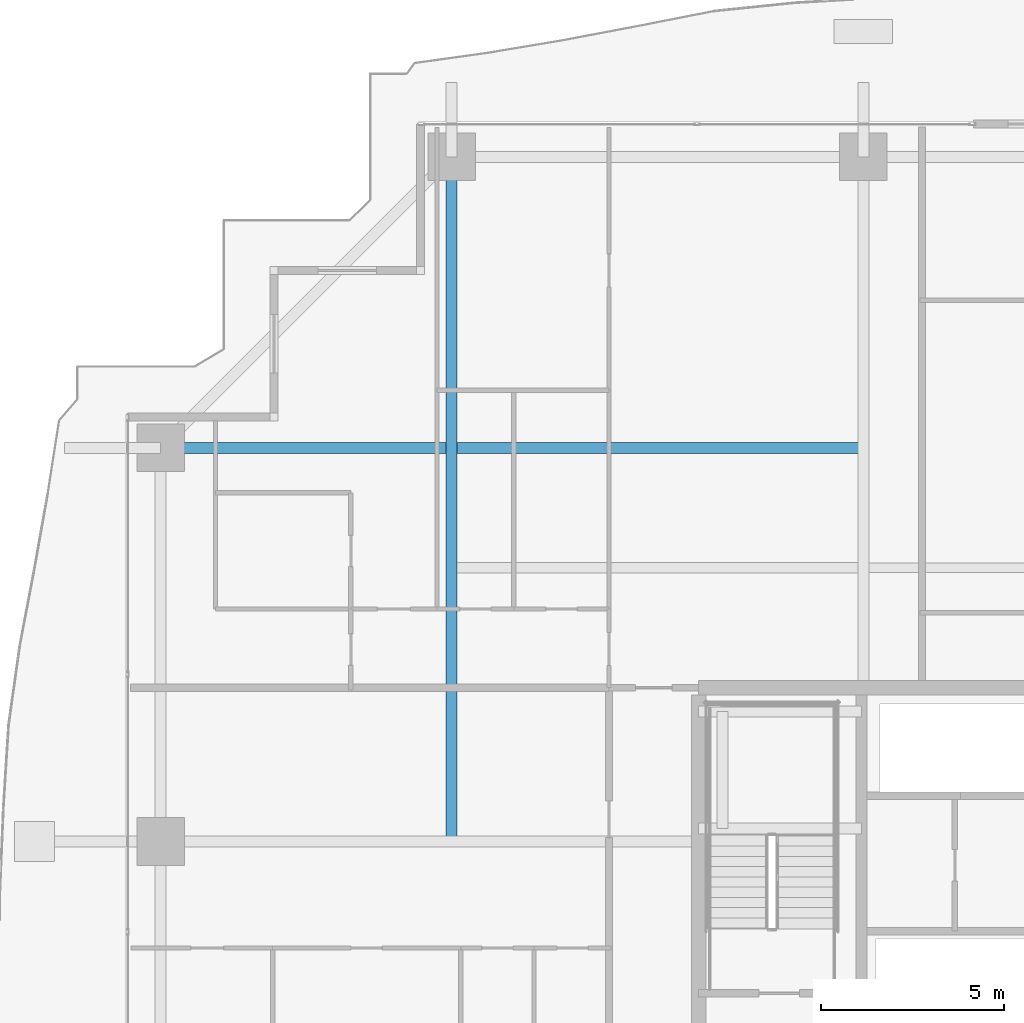
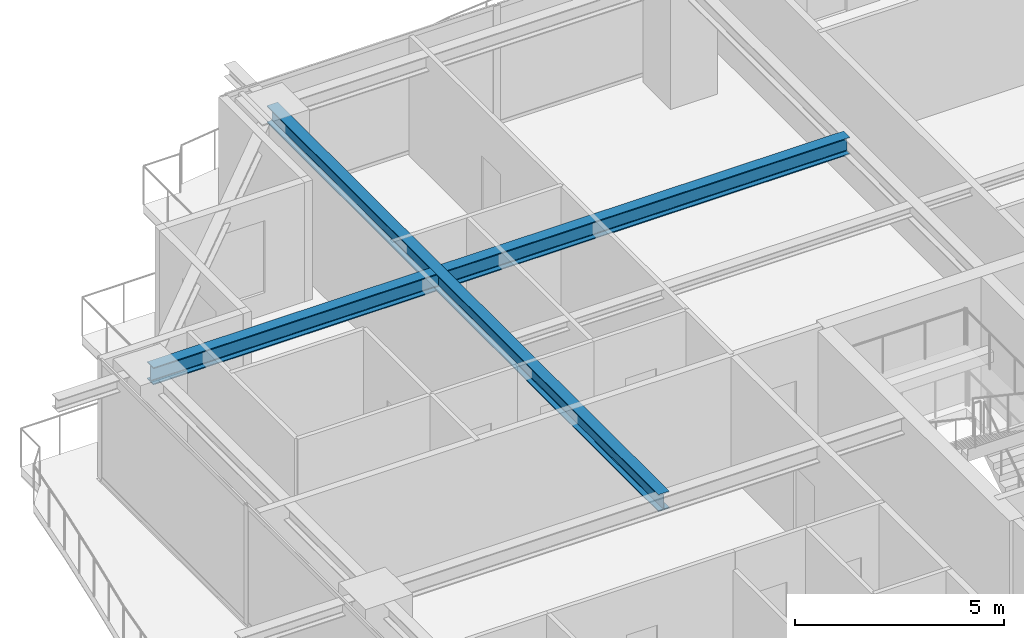
# One storey, part 18 of 37: 2 beams.
"""IFC4 building model written with IfcOpenShell, lengths in metres."""

import ifcopenshell
import ifcopenshell.guid

model = None  # the IFC model being written
_history = None  # IfcOwnerHistory: only IFC2X3 demands one
_inside = {}  # id of a spatial element -> (the spatial element, [elements in it])
_under = {}  # id of a project, library or spatial element -> (it, [spatial elements below it])
_declared = {}  # id of a project -> (the project, [libraries it declares])
_typed = {}  # id of a type object -> (the type object, [elements of that type])
_made_of = {}  # id of a material, layer set ... -> (it, [elements and type objects made of it])


def new_model(schema):
    """Start an empty IFC model of exactly this schema.

    Asked for "IFC4X3", IfcOpenShell would pick the latest addendum, in which some entities
    have other attributes; the version numbers below select the first issue.
    IFC2X3 requires an IfcOwnerHistory on every rooted entity: one is made here for all.
    """
    global model, _history
    if schema == "IFC4X3":
        model = ifcopenshell.file(schema_version=(4, 3, 0, 0))
    else:
        model = ifcopenshell.file(schema=schema)
    _inside.clear()
    _under.clear()
    _declared.clear()
    _typed.clear()
    _made_of.clear()
    _history = None
    if model.schema == "IFC2X3":
        org = make("IfcOrganization", Name="unknown")
        user = make(
            "IfcPersonAndOrganization",
            ThePerson=make("IfcPerson", FamilyName="unknown"),
            TheOrganization=org,
        )
        app = make(
            "IfcApplication",
            ApplicationDeveloper=org,
            Version="unknown",
            ApplicationFullName="unknown",
            ApplicationIdentifier="unknown",
        )
        _history = make(
            "IfcOwnerHistory",
            OwningUser=user,
            OwningApplication=app,
            ChangeAction="ADDED",
            CreationDate=0,
        )
    return model


def make(cls, **values):
    """One entity of the class cls with the attributes given. An attribute that is None is left unset."""
    return model.create_entity(
        cls, **{name: value for name, value in values.items() if value is not None}
    )


def rooted(cls, **values):
    """An entity with a GlobalId (a new one), such as an element, a storey or a relation."""
    return make(cls, GlobalId=ifcopenshell.guid.new(), OwnerHistory=_history, **values)


def si_unit(unit_type, name, prefix=None):
    """IfcSIUnit, for example si_unit("LENGTHUNIT", "METRE", prefix="MILLI")."""
    return make("IfcSIUnit", UnitType=unit_type, Prefix=prefix, Name=name)


def assignment(units):
    """IfcUnitAssignment: the units of a project."""
    return None if units is None else make("IfcUnitAssignment", Units=units)


def point(xyz):
    """IfcCartesianPoint."""
    return None if xyz is None else make("IfcCartesianPoint", Coordinates=xyz)


def direction(xyz):
    """IfcDirection."""
    return None if xyz is None else make("IfcDirection", DirectionRatios=xyz)


def frame(location, z_axis=None, x_axis=None):
    """IfcAxis2Placement3D, a coordinate frame: its origin and axes. An axis left out is left unset."""
    return make(
        "IfcAxis2Placement3D",
        Location=point(location),
        Axis=direction(z_axis),
        RefDirection=direction(x_axis),
    )


def frame_2d(location, x_axis=None):
    """IfcAxis2Placement2D, a coordinate frame in the plane: its origin and x axis."""
    return make(
        "IfcAxis2Placement2D", Location=point(location), RefDirection=direction(x_axis)
    )


def origin():
    """The frame at (0, 0, 0) with its axes left unset."""
    return frame((0.0, 0.0, 0.0))


def origin_2d():
    """The frame at (0, 0) in the plane with its x axis left unset."""
    return frame_2d((0.0, 0.0))


def place(relative_to, where):
    """IfcLocalPlacement: puts the frame where relative to a parent placement (None: the world)."""
    return make(
        "IfcLocalPlacement", PlacementRelTo=relative_to, RelativePlacement=where
    )


def context(
    kind, dimensions, precision=None, world=None, true_north=None, identifier=None
):
    """IfcGeometricRepresentationContext, for example the 3D "Model" context."""
    return make(
        "IfcGeometricRepresentationContext",
        ContextIdentifier=identifier,
        ContextType=kind,
        CoordinateSpaceDimension=dimensions,
        Precision=precision,
        WorldCoordinateSystem=world,
        TrueNorth=true_north,
    )


def subcontext(parent, identifier, kind, view, scale=None):
    """IfcGeometricRepresentationSubContext, for example "Body" below "Model"."""
    return make(
        "IfcGeometricRepresentationSubContext",
        ContextIdentifier=identifier,
        ContextType=kind,
        ParentContext=parent,
        TargetScale=scale,
        TargetView=view,
    )


def project(units=None, contexts=None):
    """IfcProject with its units and contexts."""
    return rooted(
        "IfcProject",
        Name="project",
        RepresentationContexts=contexts,
        UnitsInContext=assignment(units),
    )


def spatial(cls, under=None, at=None, **own):
    """A site, building, storey or space (cls), placed at a placement, below another one or the project."""
    s = rooted(cls, ObjectPlacement=at, **own)
    if under is not None:
        _under.setdefault(under.id(), (under, []))[1].append(s)
    return s


def profile(cls, at=None, kind="AREA", **sizes):
    """A parametric profile (cls). Its sizes go by their IFC names, for example OverallWidth=200.0."""
    return make(cls, ProfileType=kind, Position=at, **sizes)


def i_section(**sizes):
    """IfcIShapeProfileDef."""
    return profile("IfcIShapeProfileDef", **sizes)


def extrude(swept, where, along, depth):
    """IfcExtrudedAreaSolid: the profile swept, set in the frame where, extruded along a direction by depth."""
    return make(
        "IfcExtrudedAreaSolid",
        SweptArea=swept,
        Position=where,
        ExtrudedDirection=direction(along),
        Depth=depth,
    )


def shape(context_of_items, identifier, shape_type, items):
    """IfcShapeRepresentation: the items that make up one representation, for example the "Body"."""
    return make(
        "IfcShapeRepresentation",
        ContextOfItems=context_of_items,
        RepresentationIdentifier=identifier,
        RepresentationType=shape_type,
        Items=items,
    )


def source(mapping_origin, context_of_items, identifier, shape_type, items):
    """IfcRepresentationMap: a shape defined once, which mapped items show again and again."""
    return make(
        "IfcRepresentationMap",
        MappingOrigin=mapping_origin,
        MappedRepresentation=shape(context_of_items, identifier, shape_type, items),
    )


def transform(
    local_origin,
    x_axis=None,
    y_axis=None,
    z_axis=None,
    scale=None,
    scale2=None,
    scale3=None,
    uniform=True,
):
    """IfcCartesianTransformationOperator3D, or its non-uniform kind. x_axis, y_axis, z_axis: its Axis1, 2, 3."""
    if uniform:
        return make(
            "IfcCartesianTransformationOperator3D",
            Axis1=direction(x_axis),
            Axis2=direction(y_axis),
            LocalOrigin=point(local_origin),
            Scale=scale,
            Axis3=direction(z_axis),
        )
    return make(
        "IfcCartesianTransformationOperator3DnonUniform",
        Axis1=direction(x_axis),
        Axis2=direction(y_axis),
        LocalOrigin=point(local_origin),
        Scale=scale,
        Axis3=direction(z_axis),
        Scale2=scale2,
        Scale3=scale3,
    )


def mapped(mapping_source, mapping_target):
    """IfcMappedItem: shows the shape of a source again, moved by a transform."""
    return make(
        "IfcMappedItem", MappingSource=mapping_source, MappingTarget=mapping_target
    )


def material(Name=None, Category=None):
    """IfcMaterial."""
    return make("IfcMaterial", Name=Name, Category=Category)


def material_profile(
    of_material, cross_section, Name=None, Category=None, Priority=None
):
    """IfcMaterialProfile: a cross section and its material."""
    return make(
        "IfcMaterialProfile",
        Name=Name,
        Material=of_material,
        Profile=cross_section,
        Priority=Priority,
        Category=Category,
    )


def profile_set(profiles, Name=None, composite=None):
    """IfcMaterialProfileSet."""
    return make(
        "IfcMaterialProfileSet",
        Name=Name,
        MaterialProfiles=profiles,
        CompositeProfile=composite,
    )


def made_of(thing, what):
    """Note that an element or type object is made of a material, layer set ...; save() writes the relation."""
    if what is not None:
        _made_of.setdefault(what.id(), (what, []))[1].append(thing)
    return thing


def type_object(cls, material=None, **own):
    """A type object (cls), such as IfcWallType, which elements share."""
    return made_of(rooted(cls, **own), material)


def element(
    cls,
    number,
    at=None,
    inside=None,
    cuts=None,
    type_object=None,
    material=None,
    context=None,
    identifier="Body",
    shape_type=None,
    held_by="IfcProductDefinitionShape",
    body=None,
    shapes=None,
    **own,
):
    """One element of the class cls, such as IfcWall. Its Tag is "e" and its number.

    at: its placement. inside: the storey or other place that contains it. cuts: it is an
    opening in that element (IfcRelVoidsElement). A single representation is given by context,
    identifier, shape_type and body (its items); several are given by shapes. held_by: the class
    of the entity that holds the representations. save() writes the other relations.
    """
    e = rooted(cls, Tag="e%d" % number, ObjectPlacement=at, **own)
    if body is not None:
        shapes = [shape(context, identifier, shape_type, body)]
    if shapes is not None:
        e.Representation = make(held_by, Representations=shapes)
    if inside is not None:
        _inside.setdefault(inside.id(), (inside, []))[1].append(e)
    if cuts is not None:
        rooted(
            "IfcRelVoidsElement", RelatingBuildingElement=cuts, RelatedOpeningElement=e
        )
    if type_object is not None:
        _typed.setdefault(type_object.id(), (type_object, []))[1].append(e)
    return made_of(e, material)


def aggregate(whole, parts):
    """IfcRelAggregates: a whole, such as a stair, and the parts it consists of."""
    return rooted("IfcRelAggregates", RelatingObject=whole, RelatedObjects=parts)


def save(model, path):
    """Write the relations noted so far, then the file.

    IfcRelAggregates (storeys below a building ...), IfcRelContainedInSpatialStructure (elements
    in a storey), IfcRelDefinesByType, IfcRelAssociatesMaterial and IfcRelDeclares: one each for
    every whole, place, type object, material and project.
    """
    for whole, parts in _under.values():
        aggregate(whole, parts)
    for where, things in _inside.values():
        rooted(
            "IfcRelContainedInSpatialStructure",
            RelatedElements=things,
            RelatingStructure=where,
        )
    for kind, things in _typed.values():
        rooted("IfcRelDefinesByType", RelatedObjects=things, RelatingType=kind)
    for what, things in _made_of.values():
        rooted("IfcRelAssociatesMaterial", RelatedObjects=things, RelatingMaterial=what)
    for by, libraries in _declared.values():
        rooted("IfcRelDeclares", RelatingContext=by, RelatedDefinitions=libraries)
    model.write(path)


model = new_model("IFC4")

# Units and contexts
model_context = context("Model", 3, precision=1e-05, world=origin(), true_north=direction((0.0, 1.0)))
body_context = subcontext(model_context, "Body", "Model", "MODEL_VIEW")
ifc_project = project(units=[si_unit("LENGTHUNIT", "METRE"), si_unit("AREAUNIT", "SQUARE_METRE"), si_unit("VOLUMEUNIT", "CUBIC_METRE"), si_unit("PLANEANGLEUNIT", "RADIAN"), si_unit("MASSUNIT", "GRAM", prefix="KILO")], contexts=[model_context])

# Site, building, storey
site_placement = place(None, origin())
site = spatial("IfcSite", under=ifc_project, at=site_placement, CompositionType="ELEMENT")
building_placement = place(site_placement, origin())
building = spatial("IfcBuilding", under=site, at=building_placement, Name="Serunith Strait Residences", CompositionType="ELEMENT")
storey_placement = place(building_placement, frame((0.0, 0.0, 138.89990234375)))
storey = spatial("IfcBuildingStorey", under=building, at=storey_placement, Name="L34", CompositionType="ELEMENT", Elevation=138.89990234375)

# Beams
ifc_material = material(Name="Steel S355J2", Category="steel")
ifc_material_profile = material_profile(ifc_material, i_section(OverallWidth=0.300048828125, OverallDepth=0.5, WebThickness=0.014404296875, FlangeThickness=0.028076171875, FilletRadius=0.027099609375, at=origin_2d()), Name="HEB 500")
ifc_profile_set = profile_set([ifc_material_profile], Name="Steel S355J2")
beam_type = type_object("IfcBeamType", Name="BM-HEB500", PredefinedType="BEAM", material=ifc_profile_set)
shared_shape_1 = source(origin(), body_context, "Body", "SweptSolid", [
    extrude(i_section(OverallWidth=0.300048828125, OverallDepth=0.5, WebThickness=0.014404296875, FlangeThickness=0.028076171875, FilletRadius=0.027099609375, at=origin_2d()), origin(), (0.0, 0.0, 1.0), 18.7001953125),
])
beam_1_placement = place(storey_placement, frame((16.64990234375, 29.39990234375, 3.237060546875), z_axis=(0.0, 1.0, 0.0), x_axis=(-1.0, 0.0, 0.0)))
element("IfcBeam", 1, at=beam_1_placement, inside=storey, type_object=beam_type, Name="L34 Orthogonal Corner Girder TC-N1", PredefinedType="BEAM", context=body_context, shape_type="MappedRepresentation", body=[
    mapped(shared_shape_1, transform((0.0, 0.0, 0.0), scale=1.0)),
])
shared_shape_2 = source(origin(), body_context, "Body", "SweptSolid", [
    extrude(i_section(OverallWidth=0.300048828125, OverallDepth=0.5, WebThickness=0.014404296875, FlangeThickness=0.028076171875, FilletRadius=0.027099609375, at=origin_2d()), origin(), (0.0, 0.0, 1.0), 19.199951171875),
])
beam_2_placement = place(storey_placement, frame((27.89990234375, 40.14990234375, 3.237060546875), z_axis=(-1.0, 0.0, 0.0), x_axis=(0.0, -1.0, 0.0)))
element("IfcBeam", 2, at=beam_2_placement, inside=storey, type_object=beam_type, Name="L34 Orthogonal Corner Girder TC-W4", PredefinedType="BEAM", context=body_context, shape_type="MappedRepresentation", body=[
    mapped(shared_shape_2, transform((0.0, 0.0, 0.0), scale=1.0)),
])

save(model, "model.ifc")
